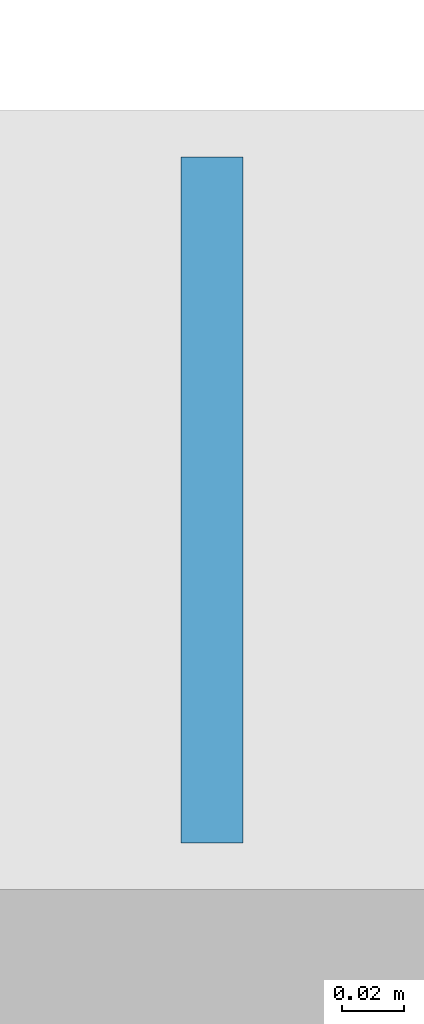
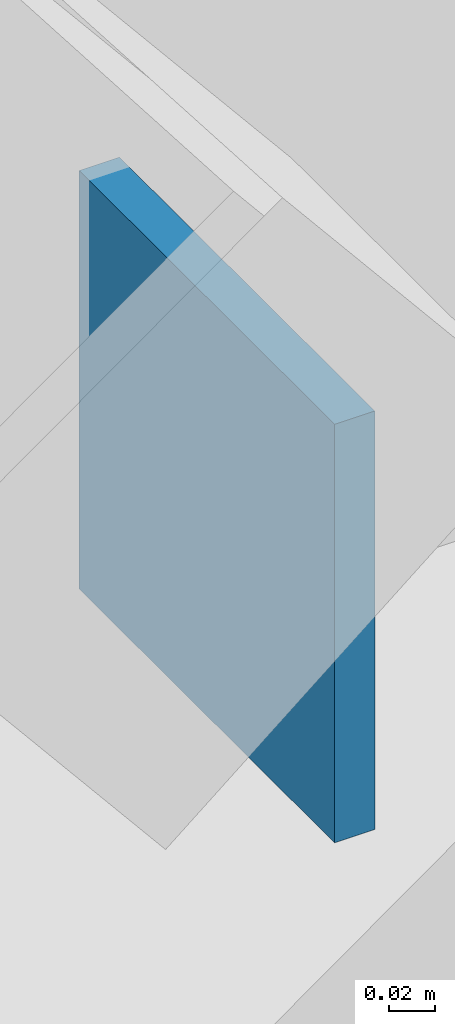
# One storey, part 36 of 57: 1 plate.
"""IFC4 building model written with IfcOpenShell, lengths in metres."""

from ifc_helpers import new_model, si_unit, derived_unit, direction, frame, origin, origin_2d, place, context, subcontext, project, spatial, rectangle, extrude, material, layer, layer_set, type_object, element, save


model = new_model("IFC4")

# Units and contexts
model_context = context("Model", 3, precision=1e-05, world=origin(), true_north=direction((0.0, 1.0)))
body_context = subcontext(model_context, "Body", "Model", "MODEL_VIEW")
ifc_project = project(units=[si_unit("LENGTHUNIT", "METRE"), si_unit("AREAUNIT", "SQUARE_METRE"), si_unit("VOLUMEUNIT", "CUBIC_METRE"), si_unit("PLANEANGLEUNIT", "RADIAN"), si_unit("MASSUNIT", "GRAM", prefix="KILO"), derived_unit("THERMALTRANSMITTANCEUNIT", [(si_unit("POWERUNIT", "WATT"), 1), (si_unit("LENGTHUNIT", "METRE"), -2), (si_unit("THERMODYNAMICTEMPERATUREUNIT", "KELVIN"), -1)])], contexts=[model_context])

# Site, building, storey
site_placement = place(None, origin())
site = spatial("IfcSite", under=ifc_project, at=site_placement, CompositionType="ELEMENT")
building_placement = place(site_placement, origin())
building = spatial("IfcBuilding", under=site, at=building_placement, Name="Nallur Shell Playhouse", CompositionType="ELEMENT")
storey_placement = place(building_placement, origin())
storey = spatial("IfcBuildingStorey", under=building, at=storey_placement, Name="L01", CompositionType="ELEMENT", Elevation=0.0)

# Plate
ifc_material = material(Name="Steel E350", Category="steel")
ifc_layer = layer(ifc_material, 0.02001953125)
ifc_layer_set = layer_set([ifc_layer], Name="Steel E350")
plate_type = type_object("IfcPlateType", Name="PT-ENDCAP-20", PredefinedType="SHEET", material=ifc_layer_set)
plate_placement = place(storey_placement, frame((95.206298828125, 83.0, 0.0322265625), z_axis=(0.0, 0.0, 1.0), x_axis=(1.0, 0.0, 0.0)))
element("IfcPlate", 1, at=plate_placement, inside=storey, type_object=plate_type, Name="Hollow end cap EC-BR-FT-L01-008-0", PredefinedType="SHEET", context=body_context, shape_type="SweptSolid", body=[
    extrude(rectangle(XDim=0.02001953125, YDim=0.219970703125, at=origin_2d()), origin(), (0.0, 0.0, 1.0), 0.219970703125),
])

save(model, "model.ifc")
